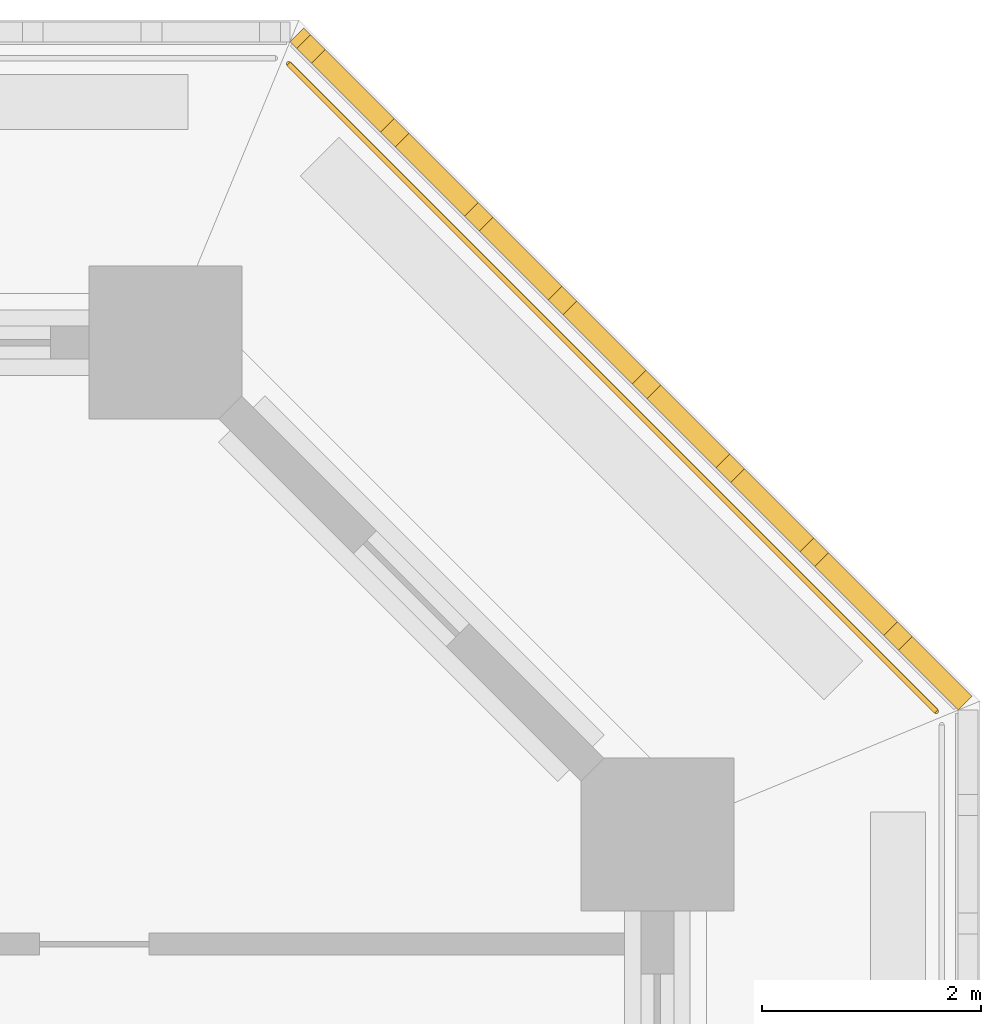
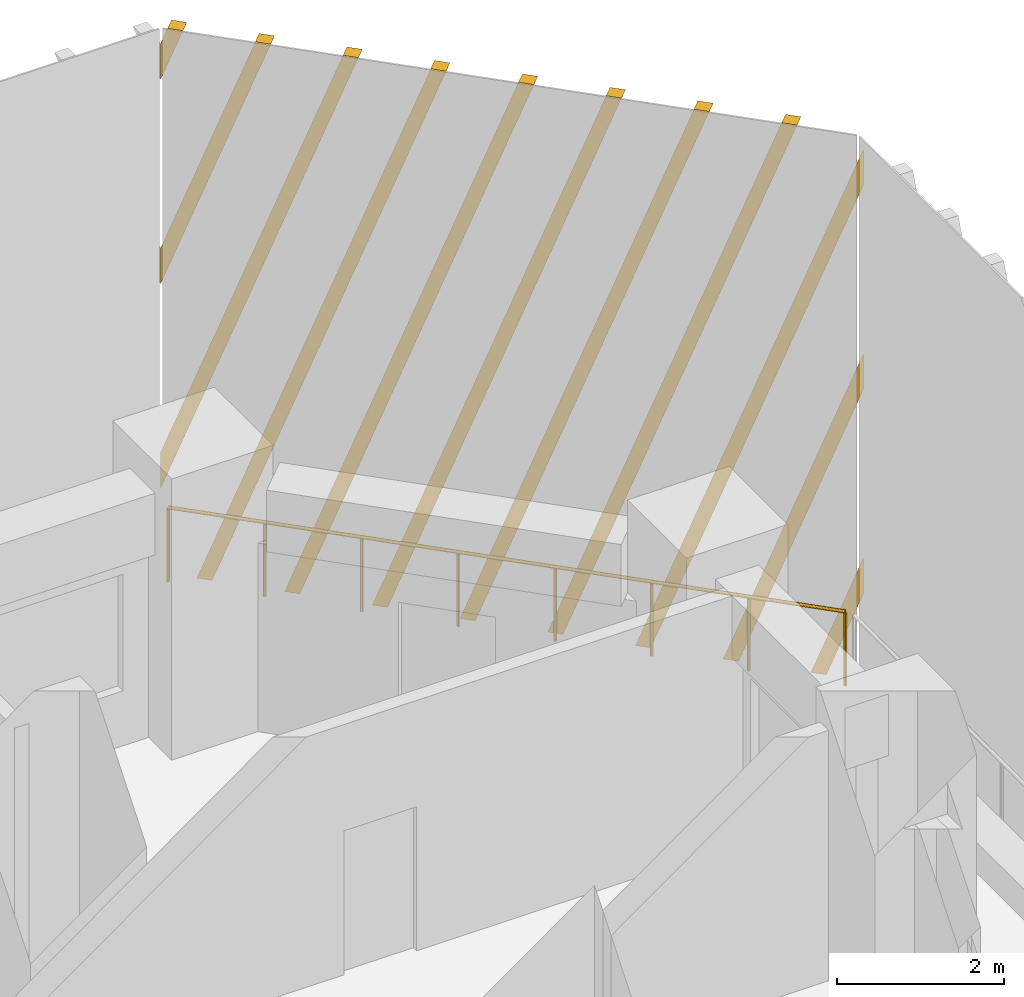
# One storey, part 13 of 14: 1 railing, 1 shading device.
"""IFC4 building model written with IfcOpenShell, lengths in metres."""

from ifc_helpers import new_model, si_unit, direction, frame, origin, origin_2d, place, context, subcontext, project, spatial, polyline, circle, outline, extrude, source, transform, mapped, material, type_object, element, save


model = new_model("IFC4")

# Units and contexts
model_context = context("Model", 3, precision=1e-05, world=origin(), true_north=direction((0.0, 1.0)))
body_context = subcontext(model_context, "Body", "Model", "MODEL_VIEW")
ifc_project = project(units=[si_unit("LENGTHUNIT", "METRE"), si_unit("AREAUNIT", "SQUARE_METRE"), si_unit("VOLUMEUNIT", "CUBIC_METRE"), si_unit("PLANEANGLEUNIT", "RADIAN"), si_unit("MASSUNIT", "GRAM", prefix="KILO")], contexts=[model_context])

# Site, building, storey
site_placement = place(None, origin())
site = spatial("IfcSite", under=ifc_project, at=site_placement, CompositionType="ELEMENT")
building_placement = place(site_placement, origin())
building = spatial("IfcBuilding", under=site, at=building_placement, Name="Corbel Stack Research Tower", CompositionType="ELEMENT")
storey_placement = place(building_placement, frame((0.0, 0.0, 58.300048828125)))
storey = spatial("IfcBuildingStorey", under=building, at=storey_placement, Name="L13", CompositionType="ELEMENT", Elevation=58.300048828125)

# Railing
ifc_material_1 = material(Name="Powder-coated steel guard", Category="steel")
railing_type = type_object("IfcRailingType", Name="Steel and glass guard 1100", PredefinedType="GUARDRAIL", material=ifc_material_1)
railing_placement = place(storey_placement, frame((34.04931640625, 23.627685546875, 0.0)))
element("IfcRailing", 1, at=railing_placement, inside=storey, type_object=railing_type, Name="Loggia guard L13 NE", PredefinedType="GUARDRAIL", context=body_context, shape_type="SweptSolid", body=[
    extrude(circle(Radius=0.02392578125, at=origin_2d()), frame((0.0, 0.0, 1.076171875), z_axis=(-0.707106781187, 0.707106781187, 0.0), x_axis=(-0.707106781187, -0.707106781187, 0.0)), (0.0, 0.0, 1.0), 8.37451171875),
    extrude(circle(Radius=0.02099609375, at=origin_2d()), origin(), (0.0, 0.0, 1.0), 1.052001953125),
    extrude(circle(Radius=0.02099609375, at=origin_2d()), frame((-0.845947265625, 0.845947265625, 0.0)), (0.0, 0.0, 1.0), 1.052001953125),
    extrude(circle(Radius=0.02099609375, at=origin_2d()), frame((-1.69189453125, 1.69189453125, 0.0)), (0.0, 0.0, 1.0), 1.052001953125),
    extrude(circle(Radius=0.02099609375, at=origin_2d()), frame((-2.537841796875, 2.537841796875, 0.0)), (0.0, 0.0, 1.0), 1.052001953125),
    extrude(circle(Radius=0.02099609375, at=origin_2d()), frame((-3.3837890625, 3.3837890625, 0.0)), (0.0, 0.0, 1.0), 1.052001953125),
    extrude(circle(Radius=0.02099609375, at=origin_2d()), frame((-4.229736328125, 4.229736328125, 0.0)), (0.0, 0.0, 1.0), 1.052001953125),
    extrude(circle(Radius=0.02099609375, at=origin_2d()), frame((-5.07568359375, 5.07568359375, 0.0)), (0.0, 0.0, 1.0), 1.052001953125),
    extrude(circle(Radius=0.02099609375, at=origin_2d()), frame((-5.921630859375, 5.921630859375, 0.0)), (0.0, 0.0, 1.0), 1.052001953125),
])

# Shading device
ifc_material_2 = material(Name="Precast terracotta", Category="masonry")
shading_device_type = type_object("IfcShadingDeviceType", Name="Terracotta screen panel", PredefinedType="USERDEFINED", material=ifc_material_2)
shared_shape = source(origin(), body_context, "Body", "SweptSolid", [
    extrude(outline(polyline([(0.60205078125, 0.0), (0.0, 1.654296875), (0.0, 1.13232421875), (0.412109375, 0.0), (0.60205078125, 0.0)])), frame((0.0, 0.0, 0.0), z_axis=(0.0, -1.0, 0.0), x_axis=(1.0, 0.0, 0.0)), (0.0, 0.0, 1.0), 0.179931640625),
    extrude(outline(polyline([(1.686767578125, 0.0), (0.0, 4.634521484375), (0.0, 4.1123046875), (1.496826171875, 0.0), (1.686767578125, 0.0)])), frame((0.0, 0.0, 0.0), z_axis=(0.0, -1.0, 0.0), x_axis=(1.0, 0.0, 0.0)), (0.0, 0.0, 1.0), 0.179931640625),
    extrude(outline(polyline([(2.771484375, 0.0), (0.0, 7.614501953125), (0.0, 7.092529296875), (2.58154296875, 0.0), (2.771484375, 0.0)])), frame((0.0, 0.0, 0.0), z_axis=(0.0, -1.0, 0.0), x_axis=(1.0, 0.0, 0.0)), (0.0, 0.0, 1.0), 0.179931640625),
    extrude(outline(polyline([(3.856201171875, 0.0), (0.962646484375, 7.949951171875), (0.772705078125, 7.949951171875), (3.666015625, 0.0), (3.856201171875, 0.0)])), frame((0.0, 0.0, 0.0), z_axis=(0.0, -1.0, 0.0), x_axis=(1.0, 0.0, 0.0)), (0.0, 0.0, 1.0), 0.179931640625),
    extrude(outline(polyline([(4.94091796875, 0.0), (2.047119140625, 7.949951171875), (1.857177734375, 7.949951171875), (4.750732421875, 0.0), (4.94091796875, 0.0)])), frame((0.0, 0.0, 0.0), z_axis=(0.0, -1.0, 0.0), x_axis=(1.0, 0.0, 0.0)), (0.0, 0.0, 1.0), 0.179931640625),
    extrude(outline(polyline([(6.025390625, 0.0), (3.1318359375, 7.949951171875), (2.94189453125, 7.949951171875), (5.83544921875, 0.0), (6.025390625, 0.0)])), frame((0.0, 0.0, 0.0), z_axis=(0.0, -1.0, 0.0), x_axis=(1.0, 0.0, 0.0)), (0.0, 0.0, 1.0), 0.179931640625),
    extrude(outline(polyline([(7.110107421875, 0.0), (4.216552734375, 7.949951171875), (4.026611328125, 7.949951171875), (6.920166015625, 0.0), (7.110107421875, 0.0)])), frame((0.0, 0.0, 0.0), z_axis=(0.0, -1.0, 0.0), x_axis=(1.0, 0.0, 0.0)), (0.0, 0.0, 1.0), 0.179931640625),
    extrude(outline(polyline([(8.19482421875, 0.0), (5.30126953125, 7.949951171875), (5.111083984375, 7.949951171875), (8.0048828125, 0.0), (8.19482421875, 0.0)])), frame((0.0, 0.0, 0.0), z_axis=(0.0, -1.0, 0.0), x_axis=(1.0, 0.0, 0.0)), (0.0, 0.0, 1.0), 0.179931640625),
    extrude(outline(polyline([(6.385986328125, 7.949951171875), (6.19580078125, 7.949951171875), (8.64208984375, 1.22900390625), (8.64208984375, 1.751220703125), (6.385986328125, 7.949951171875)])), frame((0.0, 0.0, 0.0), z_axis=(0.0, -1.0, 0.0), x_axis=(1.0, 0.0, 0.0)), (0.0, 0.0, 1.0), 0.179931640625),
    extrude(outline(polyline([(7.470703125, 7.949951171875), (7.280517578125, 7.949951171875), (8.64208984375, 4.208984375), (8.64208984375, 4.731201171875), (7.470703125, 7.949951171875)])), frame((0.0, 0.0, 0.0), z_axis=(0.0, -1.0, 0.0), x_axis=(1.0, 0.0, 0.0)), (0.0, 0.0, 1.0), 0.179931640625),
    extrude(outline(polyline([(8.55517578125, 7.949951171875), (8.365234375, 7.949951171875), (8.64208984375, 7.189208984375), (8.64208984375, 7.711181640625), (8.55517578125, 7.949951171875)])), frame((0.0, 0.0, 0.0), z_axis=(0.0, -1.0, 0.0), x_axis=(1.0, 0.0, 0.0)), (0.0, 0.0, 1.0), 0.179931640625),
])
shading_device_placement = place(storey_placement, frame((34.25, 23.63916015625, 0.0), z_axis=(0.0, 0.0, 1.0), x_axis=(-0.707106781187, 0.707106781187, 0.0)))
element("IfcShadingDevice", 2, at=shading_device_placement, inside=storey, type_object=shading_device_type, Name="Terracotta screen L13 NE1", ObjectType="SCREEN", PredefinedType="USERDEFINED", context=body_context, shape_type="MappedRepresentation", body=[
    mapped(shared_shape, transform((0.0, 0.0, 0.0))),
])

save(model, "model.ifc")
